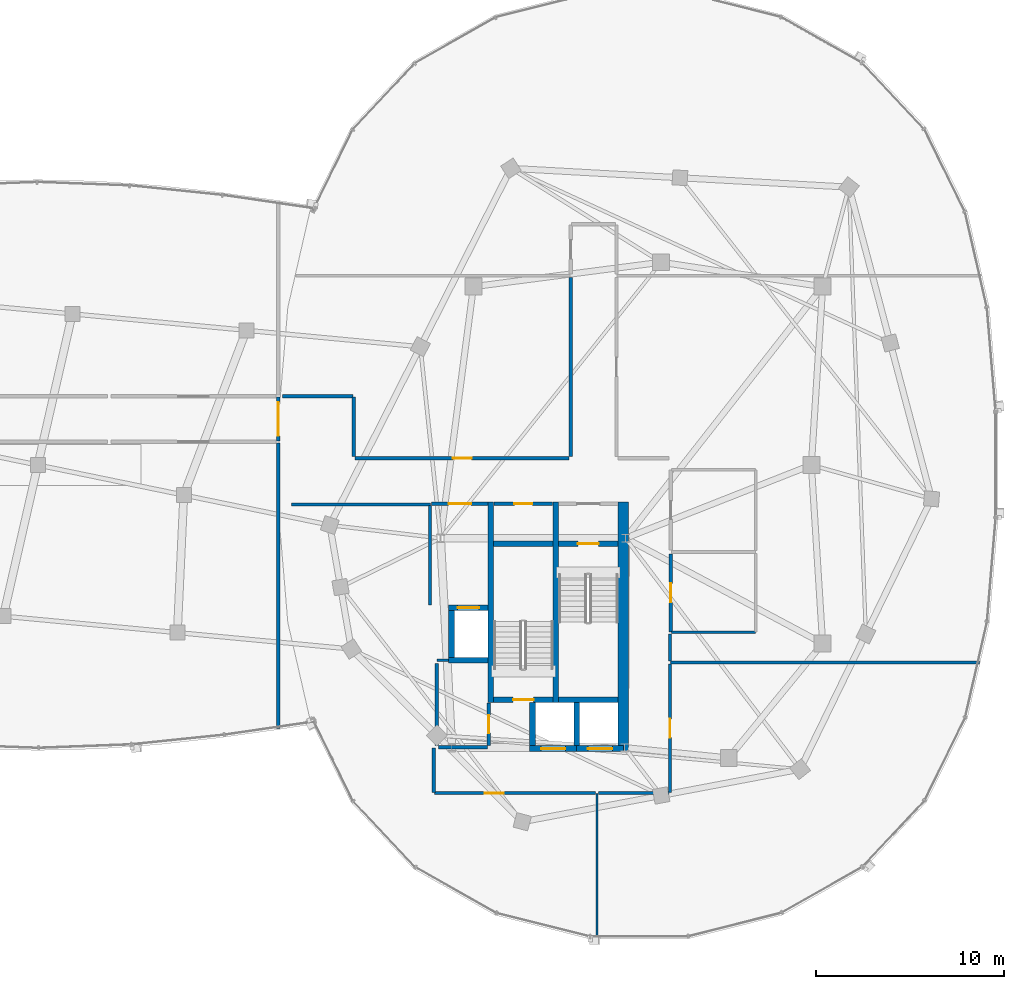
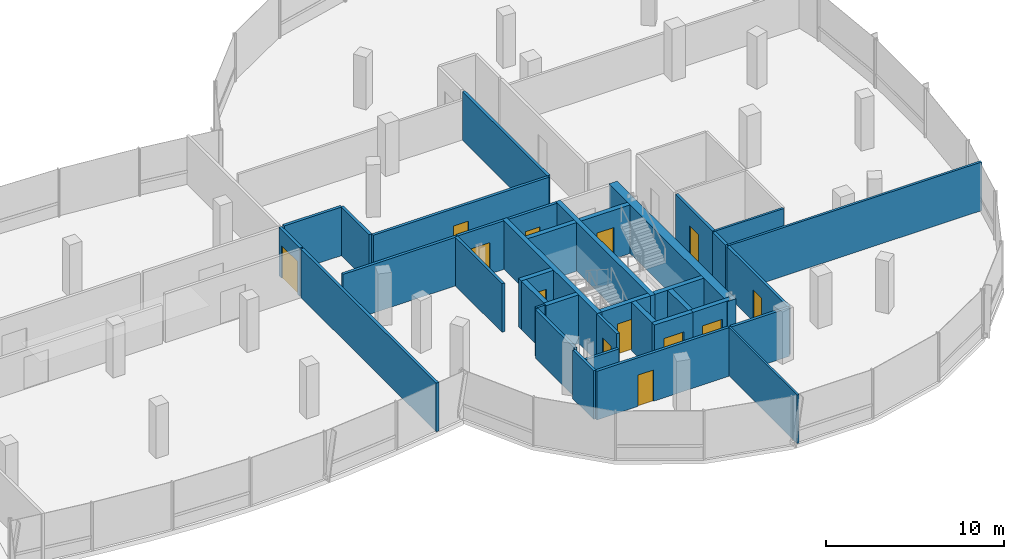
# One storey, part 16 of 25: 37 walls, 13 doors, 13 openings.
"""IFC4 building model written with IfcOpenShell, lengths in metres."""

from ifc_helpers import new_model, si_unit, direction, frame, frame_2d, origin, place, context, subcontext, project, spatial, rectangle, extrude, material, layer, layer_set, type_object, element, fill, save


model = new_model("IFC4")

# Units and contexts
model_context = context("Model", 3, precision=1e-05, world=origin(), true_north=direction((0.0, 1.0)))
body_context = subcontext(model_context, "Body", "Model", "MODEL_VIEW")
ifc_project = project(units=[si_unit("LENGTHUNIT", "METRE"), si_unit("AREAUNIT", "SQUARE_METRE"), si_unit("VOLUMEUNIT", "CUBIC_METRE"), si_unit("PLANEANGLEUNIT", "RADIAN"), si_unit("MASSUNIT", "GRAM", prefix="KILO"), si_unit("THERMODYNAMICTEMPERATUREUNIT", "KELVIN"), si_unit("POWERUNIT", "WATT")], contexts=[model_context])

# Site, building, storey
site_placement = place(None, origin())
site = spatial("IfcSite", under=ifc_project, at=site_placement, CompositionType="ELEMENT")
building_placement = place(site_placement, origin())
building = spatial("IfcBuilding", under=site, at=building_placement, Name="Cundina Bronze Exchange", CompositionType="ELEMENT")
storey_placement = place(building_placement, frame((0.0, 0.0, 254.0)))
storey = spatial("IfcBuildingStorey", under=building, at=storey_placement, Name="L67", CompositionType="ELEMENT", Elevation=254.0)

# Wall
ifc_material_1 = material(Name="Gypsum Fireboard Partition EI120")
ifc_layer_1 = layer(ifc_material_1, 0.179931640625, Name="Gypsum Fireboard Partition EI120")
ifc_layer_set_1 = layer_set([ifc_layer_1], Name="Gypsum Fireboard Partition EI120")
wall_type_1 = type_object("IfcWallType", Name="WL-COR-180", PredefinedType="PARTITIONING", material=ifc_layer_set_1)
wall_1_placement = place(storey_placement, frame((20.889892578125, -7.449951171875, 0.0), z_axis=(0.0, 0.0, 1.0), x_axis=(0.0, 1.0, 0.0)))
element("IfcWall", 1, at=wall_1_placement, inside=storey, type_object=wall_type_1, Name="L67 E Firefighting Lobby Side Wall", PredefinedType="PARTITIONING", context=body_context, shape_type="SweptSolid", body=[
    extrude(rectangle(XDim=5.300048828125, YDim=0.179931640625, at=frame_2d((2.64990234375, 0.0))), origin(), (0.0, 0.0, 1.0), 3.340087890625),
])

# Wall, opening, door
wall_2_placement = place(storey_placement, frame((20.97998046875, -2.06005859375, 0.0), z_axis=(0.0, 0.0, 1.0), x_axis=(1.0, 0.0, 0.0)))
wall_2 = element("IfcWall", 2, at=wall_2_placement, inside=storey, type_object=wall_type_1, Name="L67 E Firefighting Lobby Exit Wall", PredefinedType="PARTITIONING", context=body_context, shape_type="SweptSolid", body=[
    extrude(rectangle(XDim=3.0, YDim=0.179931640625, at=frame_2d((1.5, 0.0))), origin(), (0.0, 0.0, 1.0), 3.340087890625),
])
opening_1_placement = place(wall_2_placement, frame((0.89990234375, 0.0, 0.0)))
opening_1 = element("IfcOpeningElement", 3, at=opening_1_placement, cuts=wall_2, Name="Opening DF-01", PredefinedType="OPENING", context=body_context, shape_type="SweptSolid", body=[
    extrude(rectangle(XDim=1.199951171875, YDim=2.14990234375, at=frame_2d((0.60009765625, 1.074951171875))), frame((0.0, 0.099853515625, 0.0), z_axis=(0.0, -1.0, 0.0), x_axis=(1.0, 0.0, 0.0)), (0.0, 0.0, 1.0), 0.199951171875),
])
ifc_material_2 = material(Name="Steel ASTM A36 Painted", Category="steel")
door_type_1 = type_object("IfcDoorType", Name="DR-FFL-1200", OperationType="NOTDEFINED", PredefinedType="DOOR", material=ifc_material_2)
door_1_placement = place(opening_1_placement, origin())
door_1 = element("IfcDoor", 4, at=door_1_placement, inside=storey, type_object=door_type_1, Name="L67 E Firefighting Lobby Door", OperationType="SINGLE_SWING_LEFT", OverallHeight=2.14990234375, OverallWidth=1.199951171875, PredefinedType="DOOR", context=body_context, shape_type="SweptSolid", body=[
    extrude(rectangle(XDim=1.199951171875, YDim=2.14990234375, at=frame_2d((0.60009765625, 1.074951171875))), frame((0.0, 0.02490234375, 0.0), z_axis=(0.0, -1.0, 0.0), x_axis=(1.0, 0.0, 0.0)), (0.0, 0.0, 1.0), 0.050048828125),
])
fill(opening_1, door_1)

# Walls
wall_3_placement = place(storey_placement, frame((21.25, -14.929931640625, 0.0), z_axis=(0.0, 0.0, 1.0), x_axis=(0.0, 1.0, 0.0)))
element("IfcWall", 5, at=wall_3_placement, inside=storey, type_object=wall_type_1, Name="L67 Interior Partition 040", PredefinedType="PARTITIONING", context=body_context, shape_type="SweptSolid", body=[
    extrude(rectangle(XDim=4.35986328125, YDim=0.179931640625, at=frame_2d((2.179931640625, 0.0))), origin(), (0.0, 0.0, 1.0), 3.340087890625),
])
wall_4_placement = place(storey_placement, frame((21.35009765625, -15.030029296875, 0.0), z_axis=(0.0, 0.0, 1.0), x_axis=(1.0, 0.0, 0.0)))
element("IfcWall", 6, at=wall_4_placement, inside=storey, type_object=wall_type_1, Name="L67 Interior Partition 041", PredefinedType="PARTITIONING", context=body_context, shape_type="SweptSolid", body=[
    extrude(rectangle(XDim=2.60986328125, YDim=0.179931640625, at=frame_2d((1.304931640625, 0.0))), origin(), (0.0, 0.0, 1.0), 2.4130859375),
])

# Wall, opening, door
wall_5_placement = place(storey_placement, frame((24.300048828125, -2.070068359375, 0.0), z_axis=(0.0, 0.0, 1.0), x_axis=(1.0, 0.0, 0.0)))
wall_5 = element("IfcWall", 7, at=wall_5_placement, inside=storey, type_object=wall_type_1, Name="L67 Interior Partition 042", PredefinedType="PARTITIONING", context=body_context, shape_type="SweptSolid", body=[
    extrude(rectangle(XDim=3.119873046875, YDim=0.179931640625, at=frame_2d((1.56005859375, 0.0))), origin(), (0.0, 0.0, 1.0), 3.340087890625),
])
opening_2_placement = place(wall_5_placement, frame((1.0849609375, 0.0, 0.0)))
opening_2 = element("IfcOpeningElement", 8, at=opening_2_placement, cuts=wall_5, Name="Opening DW-01", PredefinedType="OPENING", context=body_context, shape_type="SweptSolid", body=[
    extrude(rectangle(XDim=0.949951171875, YDim=2.10009765625, at=frame_2d((0.47509765625, 1.050048828125))), frame((0.0, 0.099853515625, 0.0), z_axis=(0.0, -1.0, 0.0), x_axis=(1.0, 0.0, 0.0)), (0.0, 0.0, 1.0), 0.199951171875),
])
ifc_material_3 = material(Name="Solid Andean Oak Timber Grade A", Category="wood")
door_type_2 = type_object("IfcDoorType", Name="DR-WC-950", OperationType="NOTDEFINED", PredefinedType="DOOR", material=ifc_material_3)
door_2_placement = place(opening_2_placement, origin())
door_2 = element("IfcDoor", 9, at=door_2_placement, inside=storey, type_object=door_type_2, Name="L67 Interior Door 042", OperationType="SINGLE_SWING_RIGHT", OverallHeight=2.10009765625, OverallWidth=0.949951171875, PredefinedType="DOOR", context=body_context, shape_type="SweptSolid", body=[
    extrude(rectangle(XDim=0.949951171875, YDim=2.10009765625, at=frame_2d((0.47509765625, 1.050048828125))), frame((0.0, 0.02490234375, 0.0), z_axis=(0.0, -1.0, 0.0), x_axis=(1.0, 0.0, 0.0)), (0.0, 0.0, 1.0), 0.050048828125),
])
fill(opening_2, door_2)

wall_6_placement = place(storey_placement, frame((24.02001953125, -14.929931640625, 0.0), z_axis=(0.0, 0.0, 1.0), x_axis=(0.0, 1.0, 0.0)))
wall_6 = element("IfcWall", 10, at=wall_6_placement, inside=storey, type_object=wall_type_1, Name="L67 Interior Partition 043", PredefinedType="PARTITIONING", context=body_context, shape_type="SweptSolid", body=[
    extrude(rectangle(XDim=2.260009765625, YDim=0.179931640625, at=frame_2d((1.1298828125, 0.0))), origin(), (0.0, 0.0, 1.0), 3.340087890625),
])
opening_3_placement = place(wall_6_placement, frame((0.655029296875, 0.0, 0.0)))
opening_3 = element("IfcOpeningElement", 11, at=opening_3_placement, cuts=wall_6, Name="Opening DW-01", PredefinedType="OPENING", context=body_context, shape_type="SweptSolid", body=[
    extrude(rectangle(XDim=0.949951171875, YDim=2.10009765625, at=frame_2d((0.47509765625, 1.050048828125))), frame((0.0, 0.099853515625, 0.0), z_axis=(0.0, -1.0, 0.0), x_axis=(1.0, 0.0, 0.0)), (0.0, 0.0, 1.0), 0.199951171875),
])
door_3_placement = place(opening_3_placement, origin())
door_3 = element("IfcDoor", 12, at=door_3_placement, inside=storey, type_object=door_type_2, Name="L67 Interior Door 043", OperationType="SINGLE_SWING_RIGHT", OverallHeight=2.10009765625, OverallWidth=0.949951171875, PredefinedType="DOOR", context=body_context, shape_type="SweptSolid", body=[
    extrude(rectangle(XDim=0.949951171875, YDim=2.10009765625, at=frame_2d((0.47509765625, 1.050048828125))), frame((0.0, 0.02490234375, 0.0), z_axis=(0.0, -1.0, 0.0), x_axis=(1.0, 0.0, 0.0)), (0.0, 0.0, 1.0), 0.050048828125),
])
fill(opening_3, door_3)

wall_7_placement = place(storey_placement, frame((33.719970703125, -8.889892578125, 0.0), z_axis=(0.0, 0.0, 1.0), x_axis=(0.0, 1.0, 0.0)))
wall_7 = element("IfcWall", 13, at=wall_7_placement, inside=storey, type_object=wall_type_1, Name="L67 Interior Partition 050", PredefinedType="PARTITIONING", context=body_context, shape_type="SweptSolid", body=[
    extrude(rectangle(XDim=4.159912109375, YDim=0.179931640625, at=frame_2d((2.080078125, 0.0))), origin(), (0.0, 0.0, 1.0), 3.340087890625),
])
opening_4_placement = place(wall_7_placement, frame((1.580078125, 0.0, 0.0)))
opening_4 = element("IfcOpeningElement", 14, at=opening_4_placement, cuts=wall_7, Name="Opening DO-01", PredefinedType="OPENING", context=body_context, shape_type="SweptSolid", body=[
    extrude(rectangle(XDim=1.0, YDim=2.14990234375, at=frame_2d((0.5, 1.074951171875))), frame((0.0, 0.099853515625, 0.0), z_axis=(0.0, -1.0, 0.0), x_axis=(1.0, 0.0, 0.0)), (0.0, 0.0, 1.0), 0.199951171875),
])
door_type_3 = type_object("IfcDoorType", Name="DR-OFF-1000", OperationType="NOTDEFINED", PredefinedType="DOOR", material=ifc_material_3)
door_4_placement = place(opening_4_placement, origin())
door_4 = element("IfcDoor", 15, at=door_4_placement, inside=storey, type_object=door_type_3, Name="L67 Interior Door 050", OperationType="SINGLE_SWING_LEFT", OverallHeight=2.14990234375, OverallWidth=1.0, PredefinedType="DOOR", context=body_context, shape_type="SweptSolid", body=[
    extrude(rectangle(XDim=1.0, YDim=2.14990234375, at=frame_2d((0.5, 1.074951171875))), frame((0.0, 0.02490234375, 0.0), z_axis=(0.0, -1.0, 0.0), x_axis=(1.0, 0.0, 0.0)), (0.0, 0.0, 1.0), 0.050048828125),
])
fill(opening_4, door_4)

wall_8_placement = place(storey_placement, frame((33.669921875, -17.428466796875, 0.0), z_axis=(0.0, 0.0, 1.0), x_axis=(0.0, 1.0, 0.0)))
wall_8 = element("IfcWall", 16, at=wall_8_placement, inside=storey, type_object=wall_type_1, Name="L67 Interior Partition 055", PredefinedType="PARTITIONING", context=body_context, shape_type="SweptSolid", body=[
    extrude(rectangle(XDim=6.818359375, YDim=0.179931640625, at=frame_2d((3.4091796875, 0.0))), origin(), (0.0, 0.0, 1.0), 3.340087890625),
])
opening_5_placement = place(wall_8_placement, frame((2.9091796875, 0.0, 0.0)))
opening_5 = element("IfcOpeningElement", 17, at=opening_5_placement, cuts=wall_8, Name="Opening DO-01", PredefinedType="OPENING", context=body_context, shape_type="SweptSolid", body=[
    extrude(rectangle(XDim=1.0, YDim=2.14990234375, at=frame_2d((0.5, 1.074951171875))), frame((0.0, 0.099853515625, 0.0), z_axis=(0.0, -1.0, 0.0), x_axis=(1.0, 0.0, 0.0)), (0.0, 0.0, 1.0), 0.199951171875),
])
door_5_placement = place(opening_5_placement, origin())
door_5 = element("IfcDoor", 18, at=door_5_placement, inside=storey, type_object=door_type_3, Name="L67 Interior Door 055", OperationType="SINGLE_SWING_LEFT", OverallHeight=2.14990234375, OverallWidth=1.0, PredefinedType="DOOR", context=body_context, shape_type="SweptSolid", body=[
    extrude(rectangle(XDim=1.0, YDim=2.14990234375, at=frame_2d((0.5, 1.074951171875))), frame((0.0, 0.02490234375, 0.0), z_axis=(0.0, -1.0, 0.0), x_axis=(1.0, 0.0, 0.0)), (0.0, 0.0, 1.0), 0.050048828125),
])
fill(opening_5, door_5)

# Wall
wall_9_placement = place(storey_placement, frame((29.8701171875, -17.469970703125, 0.0), z_axis=(0.0, 0.0, 1.0), x_axis=(1.0, 0.0, 0.0)))
element("IfcWall", 19, at=wall_9_placement, inside=storey, type_object=wall_type_1, Name="L67 Interior Partition 056", PredefinedType="PARTITIONING", context=body_context, shape_type="SweptSolid", body=[
    extrude(rectangle(XDim=3.75830078125, YDim=0.179931640625, at=frame_2d((1.879150390625, 0.0))), origin(), (0.0, 0.0, 1.0), 3.340087890625),
])

# Wall, opening, door
wall_10_placement = place(storey_placement, frame((21.12158203125, -17.469970703125, 0.0), z_axis=(0.0, 0.0, 1.0), x_axis=(1.0, 0.0, 0.0)))
wall_10 = element("IfcWall", 20, at=wall_10_placement, inside=storey, type_object=wall_type_1, Name="L67 Interior Partition 057", PredefinedType="PARTITIONING", context=body_context, shape_type="SweptSolid", body=[
    extrude(rectangle(XDim=8.568359375, YDim=0.179931640625, at=frame_2d((4.2841796875, 0.0))), origin(), (0.0, 0.0, 1.0), 3.340087890625),
])
opening_6_placement = place(wall_10_placement, frame((2.68505859375, 0.0, 0.0)))
opening_6 = element("IfcOpeningElement", 21, at=opening_6_placement, cuts=wall_10, Name="Opening DO-01", PredefinedType="OPENING", context=body_context, shape_type="SweptSolid", body=[
    extrude(rectangle(XDim=1.0, YDim=2.14990234375, at=frame_2d((0.5, 1.074951171875))), frame((0.0, 0.099853515625, 0.0), z_axis=(0.0, -1.0, 0.0), x_axis=(1.0, 0.0, 0.0)), (0.0, 0.0, 1.0), 0.199951171875),
])
door_6_placement = place(opening_6_placement, origin())
door_6 = element("IfcDoor", 22, at=door_6_placement, inside=storey, type_object=door_type_3, Name="L67 Interior Door 057", OperationType="SINGLE_SWING_RIGHT", OverallHeight=2.14990234375, OverallWidth=1.0, PredefinedType="DOOR", context=body_context, shape_type="SweptSolid", body=[
    extrude(rectangle(XDim=1.0, YDim=2.14990234375, at=frame_2d((0.5, 1.074951171875))), frame((0.0, 0.02490234375, 0.0), z_axis=(0.0, -1.0, 0.0), x_axis=(1.0, 0.0, 0.0)), (0.0, 0.0, 1.0), 0.050048828125),
])
fill(opening_6, door_6)

# Walls
wall_11_placement = place(storey_placement, frame((13.521484375, -2.10009765625, 0.0), z_axis=(0.0, 0.0, 1.0), x_axis=(1.0, 0.0, 0.0)))
element("IfcWall", 23, at=wall_11_placement, inside=storey, type_object=wall_type_1, Name="L67 Interior Partition 058", PredefinedType="PARTITIONING", context=body_context, shape_type="SweptSolid", body=[
    extrude(rectangle(XDim=7.3984375, YDim=0.179931640625, at=frame_2d((3.69921875, 0.0))), origin(), (0.0, 0.0, 1.0), 3.340087890625),
])
wall_12_placement = place(storey_placement, frame((21.080078125, -15.071533203125, 0.0), z_axis=(0.0, 0.0, 1.0), x_axis=(0.0, -1.0, 0.0)))
element("IfcWall", 24, at=wall_12_placement, inside=storey, type_object=wall_type_1, Name="L67 Interior Partition 059", PredefinedType="PARTITIONING", context=body_context, shape_type="SweptSolid", body=[
    extrude(rectangle(XDim=2.35693359375, YDim=0.179931640625, at=frame_2d((1.178466796875, 0.0))), origin(), (0.0, 0.0, 1.0), 3.340087890625),
])
wall_13_placement = place(storey_placement, frame((33.669921875, -10.429931640625, 0.0), z_axis=(0.0, 0.0, 1.0), x_axis=(0.0, 1.0, 0.0)))
element("IfcWall", 25, at=wall_13_placement, inside=storey, type_object=wall_type_1, Name="L67 Interior Partition 062", PredefinedType="PARTITIONING", context=body_context, shape_type="SweptSolid", body=[
    extrude(rectangle(XDim=1.428466796875, YDim=0.179931640625, at=frame_2d((0.71435546875, 0.0))), origin(), (0.0, 0.0, 1.0), 3.340087890625),
])

# Wall, opening, door
wall_14_placement = place(storey_placement, frame((28.300048828125, 0.3701171875, 0.0), z_axis=(0.0, 0.0, 1.0), x_axis=(-1.0, 0.0, 0.0)))
wall_14 = element("IfcWall", 26, at=wall_14_placement, inside=storey, type_object=wall_type_1, Name="L67 Interior Partition 063", PredefinedType="PARTITIONING", context=body_context, shape_type="SweptSolid", body=[
    extrude(rectangle(XDim=11.400146484375, YDim=0.179931640625, at=frame_2d((5.7001953125, 0.0))), origin(), (0.0, 0.0, 1.0), 3.340087890625),
])
opening_7_placement = place(wall_14_placement, frame((5.199951171875, 0.0, 0.0)))
opening_7 = element("IfcOpeningElement", 27, at=opening_7_placement, cuts=wall_14, Name="Opening DO-01", PredefinedType="OPENING", context=body_context, shape_type="SweptSolid", body=[
    extrude(rectangle(XDim=1.0, YDim=2.14990234375, at=frame_2d((0.5, 1.074951171875))), frame((0.0, 0.099853515625, 0.0), z_axis=(0.0, -1.0, 0.0), x_axis=(1.0, 0.0, 0.0)), (0.0, 0.0, 1.0), 0.199951171875),
])
door_7_placement = place(opening_7_placement, origin())
door_7 = element("IfcDoor", 28, at=door_7_placement, inside=storey, type_object=door_type_3, Name="L67 Interior Door 063", OperationType="SINGLE_SWING_LEFT", OverallHeight=2.14990234375, OverallWidth=1.0, PredefinedType="DOOR", context=body_context, shape_type="SweptSolid", body=[
    extrude(rectangle(XDim=1.0, YDim=2.14990234375, at=frame_2d((0.5, 1.074951171875))), frame((0.0, 0.02490234375, 0.0), z_axis=(0.0, -1.0, 0.0), x_axis=(1.0, 0.0, 0.0)), (0.0, 0.0, 1.0), 0.050048828125),
])
fill(opening_7, door_7)

# Walls
wall_15_placement = place(storey_placement, frame((28.3798828125, 9.989990234375, 0.0), z_axis=(0.0, 0.0, 1.0), x_axis=(0.0, -1.0, 0.0)))
element("IfcWall", 29, at=wall_15_placement, inside=storey, type_object=wall_type_1, Name="L67 Interior Partition 064", PredefinedType="PARTITIONING", context=body_context, shape_type="SweptSolid", body=[
    extrude(rectangle(XDim=9.5400390625, YDim=0.179931640625, at=frame_2d((4.77001953125, 0.0))), origin(), (0.0, 0.0, 1.0), 3.340087890625),
])
wall_16_placement = place(storey_placement, frame((16.778564453125, 3.669921875, 0.0), z_axis=(0.0, 0.0, 1.0), x_axis=(-1.0, 0.0, 0.0)))
element("IfcWall", 30, at=wall_16_placement, inside=storey, type_object=wall_type_1, Name="L67 Interior Partition 065", PredefinedType="PARTITIONING", context=body_context, shape_type="SweptSolid", body=[
    extrude(rectangle(XDim=3.7529296875, YDim=0.179931640625, at=frame_2d((1.87646484375, 0.0))), origin(), (0.0, 0.0, 1.0), 3.340087890625),
])
wall_17_placement = place(storey_placement, frame((16.820068359375, 0.449951171875, 0.0), z_axis=(0.0, 0.0, 1.0), x_axis=(0.0, 1.0, 0.0)))
element("IfcWall", 31, at=wall_17_placement, inside=storey, type_object=wall_type_1, Name="L67 Interior Partition 066", PredefinedType="PARTITIONING", context=body_context, shape_type="SweptSolid", body=[
    extrude(rectangle(XDim=3.178466796875, YDim=0.179931640625, at=frame_2d((1.58935546875, 0.0))), origin(), (0.0, 0.0, 1.0), 3.340087890625),
])
wall_18_placement = place(storey_placement, frame((12.800048828125, -14.043701171875, 0.0), z_axis=(0.0, 0.0, 1.0), x_axis=(0.0, 1.0, 0.0)))
element("IfcWall", 32, at=wall_18_placement, inside=storey, type_object=wall_type_1, Name="L67 Interior Partition 078", PredefinedType="PARTITIONING", context=body_context, shape_type="SweptSolid", body=[
    extrude(rectangle(XDim=15.20361328125, YDim=0.179931640625, at=frame_2d((7.601806640625, 0.0))), origin(), (0.0, 0.0, 1.0), 3.340087890625),
])

# Wall, opening, door
wall_19_placement = place(storey_placement, frame((12.800048828125, 1.280029296875, 0.0), z_axis=(0.0, 0.0, 1.0), x_axis=(0.0, 1.0, 0.0)))
wall_19 = element("IfcWall", 33, at=wall_19_placement, inside=storey, type_object=wall_type_1, Name="L67 Interior Partition 080", PredefinedType="PARTITIONING", context=body_context, shape_type="SweptSolid", body=[
    extrude(rectangle(XDim=2.340087890625, YDim=0.179931640625, at=frame_2d((1.169921875, 0.0))), origin(), (0.0, 0.0, 1.0), 3.340087890625),
])
opening_8_placement = place(wall_19_placement, frame((0.27001953125, 0.0, 0.0)))
opening_8 = element("IfcOpeningElement", 34, at=opening_8_placement, cuts=wall_19, Name="Opening DB-01", PredefinedType="OPENING", context=body_context, shape_type="SweptSolid", body=[
    extrude(rectangle(XDim=1.800048828125, YDim=2.25, at=frame_2d((0.89990234375, 1.125))), frame((0.0, 0.099853515625, 0.0), z_axis=(0.0, -1.0, 0.0), x_axis=(1.0, 0.0, 0.0)), (0.0, 0.0, 1.0), 0.199951171875),
])
door_type_4 = type_object("IfcDoorType", Name="DR-BRG-1800", OperationType="NOTDEFINED", PredefinedType="DOOR", material=ifc_material_2)
door_8_placement = place(opening_8_placement, origin())
door_8 = element("IfcDoor", 35, at=door_8_placement, inside=storey, type_object=door_type_4, Name="L67 Interior Door 080", OperationType="DOUBLE_DOOR_SINGLE_SWING", OverallHeight=2.25, OverallWidth=1.800048828125, PredefinedType="DOOR", context=body_context, shape_type="SweptSolid", body=[
    extrude(rectangle(XDim=1.800048828125, YDim=2.25, at=frame_2d((0.89990234375, 1.125))), frame((0.0, 0.02490234375, 0.0), z_axis=(0.0, -1.0, 0.0), x_axis=(1.0, 0.0, 0.0)), (0.0, 0.0, 1.0), 0.050048828125),
])
fill(opening_8, door_8)

# Walls
ifc_material_4 = material(Name="Concrete C50/60", Category="concrete")
ifc_layer_2 = layer(ifc_material_4, 0.550048828125, Name="Concrete C50/60", Category="concrete")
ifc_layer_set_2 = layer_set([ifc_layer_2], Name="Concrete C50/60")
wall_type_2 = type_object("IfcWallType", Name="WL-CORE-550", PredefinedType="SHEAR", material=ifc_layer_set_2)
wall_20_placement = place(storey_placement, frame((31.175048828125, -15.300048828125, 0.0), z_axis=(0.0, 0.0, 1.0), x_axis=(0.0, 1.0, 0.0)))
element("IfcWall", 36, at=wall_20_placement, inside=storey, type_object=wall_type_2, Name="L67 E Primary Core Shear Spine Wall", PredefinedType="SHEAR", context=body_context, shape_type="SweptSolid", body=[
    extrude(rectangle(XDim=13.330078125, YDim=0.550048828125, at=frame_2d((6.6650390625, 0.0))), origin(), (0.0, 0.0, 1.0), 3.340087890625),
])
ifc_material_5 = material(Name="Gypsum Acoustic Partition EI60")
ifc_layer_3 = layer(ifc_material_5, 0.125, Name="Gypsum Acoustic Partition EI60")
ifc_layer_set_3 = layer_set([ifc_layer_3], Name="Gypsum Acoustic Partition EI60")
wall_type_3 = type_object("IfcWallType", Name="WL-OFF-125", PredefinedType="PARTITIONING", material=ifc_layer_set_3)
wall_21_placement = place(storey_placement, frame((29.780029296875, -25.18994140625, 0.0), z_axis=(0.0, 0.0, 1.0), x_axis=(0.0, 1.0, 0.0)))
element("IfcWall", 37, at=wall_21_placement, inside=storey, type_object=wall_type_3, Name="L67 Interior Partition 054", PredefinedType="PARTITIONING", context=body_context, shape_type="SweptSolid", body=[
    extrude(rectangle(XDim=7.68994140625, YDim=0.125, at=frame_2d((3.844970703125, 0.0))), origin(), (0.0, 0.0, 1.0), 3.340087890625),
])
ifc_layer_4 = layer(ifc_material_4, 0.300048828125, Name="Concrete C50/60", Category="concrete")
ifc_layer_set_4 = layer_set([ifc_layer_4], Name="Concrete C50/60")
wall_type_4 = type_object("IfcWallType", Name="WL-SHFT-300", PredefinedType="SHEAR", material=ifc_layer_set_4)
for number, where, z_axis, x_axis, name in (
    (38, (27.590087890625, -12.64990234375, 0.0), (0.0, 0.0, 1.0), (0.0, 1.0, 0.0), "L67 E Stair Shaft Dividing Shear Wall"),
    (39, (24.1298828125, -12.64990234375, 0.0), (0.0, 0.0, 1.0), (0.0, 1.0, 0.0), "L67 E Stair 2 East Shear Wall"),
):
    element("IfcWall", number, at=place(storey_placement, frame(where, z_axis=z_axis, x_axis=x_axis)), inside=storey, type_object=wall_type_4, Name=name, PredefinedType="SHEAR", context=body_context, shape_type="SweptSolid", body=[
        extrude(rectangle(XDim=10.679931640625, YDim=0.300048828125, at=frame_2d((5.33984375, 0.0))), origin(), (0.0, 0.0, 1.0), 3.340087890625),
    ])

# Wall, opening, door
wall_22_placement = place(storey_placement, frame((27.739990234375, -4.199951171875, 0.0), z_axis=(0.0, 0.0, 1.0), x_axis=(1.0, 0.0, 0.0)))
wall_22 = element("IfcWall", 40, at=wall_22_placement, inside=storey, type_object=wall_type_4, Name="L67 Stair E1 Landing Wall", PredefinedType="SHEAR", context=body_context, shape_type="SweptSolid", body=[
    extrude(rectangle(XDim=3.159912109375, YDim=0.300048828125, at=frame_2d((1.580078125, 0.0))), origin(), (0.0, 0.0, 1.0), 3.340087890625),
])
opening_9_placement = place(wall_22_placement, frame((1.030029296875, 0.0, 0.0)))
opening_9 = element("IfcOpeningElement", 41, at=opening_9_placement, cuts=wall_22, Name="Opening DS-01", PredefinedType="OPENING", context=body_context, shape_type="SweptSolid", body=[
    extrude(rectangle(XDim=1.10009765625, YDim=2.14990234375, at=frame_2d((0.550048828125, 1.074951171875))), frame((0.0, 0.159912109375, 0.0), z_axis=(0.0, -1.0, 0.0), x_axis=(1.0, 0.0, 0.0)), (0.0, 0.0, 1.0), 0.320068359375),
])
door_type_5 = type_object("IfcDoorType", Name="DR-STR-1100", OperationType="NOTDEFINED", PredefinedType="DOOR", material=ifc_material_2)
door_9_placement = place(opening_9_placement, origin())
door_9 = element("IfcDoor", 42, at=door_9_placement, inside=storey, type_object=door_type_5, Name="L67 Smokeproof Stair E1 Door", OperationType="SINGLE_SWING_LEFT", OverallHeight=2.14990234375, OverallWidth=1.10009765625, PredefinedType="DOOR", context=body_context, shape_type="SweptSolid", body=[
    extrude(rectangle(XDim=1.10009765625, YDim=2.14990234375, at=frame_2d((0.550048828125, 1.074951171875))), frame((0.0, 0.02490234375, 0.0), z_axis=(0.0, -1.0, 0.0), x_axis=(1.0, 0.0, 0.0)), (0.0, 0.0, 1.0), 0.050048828125),
])
fill(opening_9, door_9)

# Wall
wall_23_placement = place(storey_placement, frame((27.739990234375, -12.5, 0.0), z_axis=(0.0, 0.0, 1.0), x_axis=(1.0, 0.0, 0.0)))
element("IfcWall", 43, at=wall_23_placement, inside=storey, type_object=wall_type_4, Name="L67 Stair E1 Far Shaft Wall", PredefinedType="SHEAR", context=body_context, shape_type="SweptSolid", body=[
    extrude(rectangle(XDim=3.159912109375, YDim=0.300048828125, at=frame_2d((1.580078125, 0.0))), origin(), (0.0, 0.0, 1.0), 3.340087890625),
])

# Wall, opening, door
wall_24_placement = place(storey_placement, frame((24.280029296875, -12.5, 0.0), z_axis=(0.0, 0.0, 1.0), x_axis=(1.0, 0.0, 0.0)))
wall_24 = element("IfcWall", 44, at=wall_24_placement, inside=storey, type_object=wall_type_4, Name="L67 Stair E2 Landing Wall", PredefinedType="SHEAR", context=body_context, shape_type="SweptSolid", body=[
    extrude(rectangle(XDim=3.159912109375, YDim=0.300048828125, at=frame_2d((1.580078125, 0.0))), origin(), (0.0, 0.0, 1.0), 3.340087890625),
])
opening_10_placement = place(wall_24_placement, frame((1.030029296875, 0.0, 0.0)))
opening_10 = element("IfcOpeningElement", 45, at=opening_10_placement, cuts=wall_24, Name="Opening DS-01", PredefinedType="OPENING", context=body_context, shape_type="SweptSolid", body=[
    extrude(rectangle(XDim=1.10009765625, YDim=2.14990234375, at=frame_2d((0.550048828125, 1.074951171875))), frame((0.0, 0.159912109375, 0.0), z_axis=(0.0, -1.0, 0.0), x_axis=(1.0, 0.0, 0.0)), (0.0, 0.0, 1.0), 0.320068359375),
])
door_10_placement = place(opening_10_placement, origin())
door_10 = element("IfcDoor", 46, at=door_10_placement, inside=storey, type_object=door_type_5, Name="L67 Smokeproof Stair E2 Door", OperationType="SINGLE_SWING_RIGHT", OverallHeight=2.14990234375, OverallWidth=1.10009765625, PredefinedType="DOOR", context=body_context, shape_type="SweptSolid", body=[
    extrude(rectangle(XDim=1.10009765625, YDim=2.14990234375, at=frame_2d((0.550048828125, 1.074951171875))), frame((0.0, 0.02490234375, 0.0), z_axis=(0.0, -1.0, 0.0), x_axis=(1.0, 0.0, 0.0)), (0.0, 0.0, 1.0), 0.050048828125),
])
fill(opening_10, door_10)

# Wall
wall_25_placement = place(storey_placement, frame((24.280029296875, -4.199951171875, 0.0), z_axis=(0.0, 0.0, 1.0), x_axis=(1.0, 0.0, 0.0)))
element("IfcWall", 47, at=wall_25_placement, inside=storey, type_object=wall_type_4, Name="L67 Stair E2 Far Shaft Wall", PredefinedType="SHEAR", context=body_context, shape_type="SweptSolid", body=[
    extrude(rectangle(XDim=3.159912109375, YDim=0.300048828125, at=frame_2d((1.580078125, 0.0))), origin(), (0.0, 0.0, 1.0), 3.340087890625),
])

# Wall, opening, door
wall_26_placement = place(storey_placement, frame((21.8798828125, -7.60009765625, 0.0), z_axis=(0.0, 0.0, 1.0), x_axis=(1.0, 0.0, 0.0)))
wall_26 = element("IfcWall", 48, at=wall_26_placement, inside=storey, type_object=wall_type_4, Name="L67 FFL-E Hoistway Front Wall", PredefinedType="SHEAR", context=body_context, shape_type="SweptSolid", body=[
    extrude(rectangle(XDim=2.10009765625, YDim=0.300048828125, at=frame_2d((1.050048828125, 0.0))), origin(), (0.0, 0.0, 1.0), 3.340087890625),
])
opening_11_placement = place(wall_26_placement, frame((0.47509765625, 0.0, 0.0)))
opening_11 = element("IfcOpeningElement", 49, at=opening_11_placement, cuts=wall_26, Name="Opening LD-01", PredefinedType="OPENING", context=body_context, shape_type="SweptSolid", body=[
    extrude(rectangle(XDim=1.14990234375, YDim=2.199951171875, at=frame_2d((0.574951171875, 1.10009765625))), frame((0.0, 0.159912109375, 0.0), z_axis=(0.0, -1.0, 0.0), x_axis=(1.0, 0.0, 0.0)), (0.0, 0.0, 1.0), 0.320068359375),
])
door_type_6 = type_object("IfcDoorType", Name="DR-LND-1150", OperationType="NOTDEFINED", PredefinedType="TRAPDOOR", material=ifc_material_2)
door_11_placement = place(opening_11_placement, origin())
door_11 = element("IfcDoor", 50, at=door_11_placement, inside=storey, type_object=door_type_6, Name="L67 FFL-E Sliding Landing Door", OperationType="SLIDING_TO_LEFT", OverallHeight=2.199951171875, OverallWidth=1.14990234375, PredefinedType="TRAPDOOR", context=body_context, shape_type="SweptSolid", body=[
    extrude(rectangle(XDim=1.14990234375, YDim=2.199951171875, at=frame_2d((0.574951171875, 1.10009765625))), frame((0.0, 0.02490234375, 0.0), z_axis=(0.0, -1.0, 0.0), x_axis=(1.0, 0.0, 0.0)), (0.0, 0.0, 1.0), 0.050048828125),
])
fill(opening_11, door_11)

# Walls
wall_27_placement = place(storey_placement, frame((21.8798828125, -10.39990234375, 0.0), z_axis=(0.0, 0.0, 1.0), x_axis=(1.0, 0.0, 0.0)))
element("IfcWall", 51, at=wall_27_placement, inside=storey, type_object=wall_type_4, Name="L67 FFL-E Hoistway Back Wall", PredefinedType="SHEAR", context=body_context, shape_type="SweptSolid", body=[
    extrude(rectangle(XDim=2.10009765625, YDim=0.300048828125, at=frame_2d((1.050048828125, 0.0))), origin(), (0.0, 0.0, 1.0), 3.340087890625),
])
wall_28_placement = place(storey_placement, frame((22.030029296875, -10.25, 0.0), z_axis=(0.0, 0.0, 1.0), x_axis=(0.0, 1.0, 0.0)))
element("IfcWall", 52, at=wall_28_placement, inside=storey, type_object=wall_type_4, Name="L67 FFL-E Hoistway Side Wall", PredefinedType="SHEAR", context=body_context, shape_type="SweptSolid", body=[
    extrude(rectangle(XDim=2.5, YDim=0.300048828125, at=frame_2d((1.25, 0.0))), origin(), (0.0, 0.0, 1.0), 3.340087890625),
])

# Wall, opening, door
wall_29_placement = place(storey_placement, frame((28.699951171875, -15.10009765625, 0.0), z_axis=(0.0, 0.0, 1.0), x_axis=(1.0, 0.0, 0.0)))
wall_29 = element("IfcWall", 53, at=wall_29_placement, inside=storey, type_object=wall_type_4, Name="L67 PH-E1 Hoistway Front Wall", PredefinedType="SHEAR", context=body_context, shape_type="SweptSolid", body=[
    extrude(rectangle(XDim=2.5, YDim=0.300048828125, at=frame_2d((1.25, 0.0))), origin(), (0.0, 0.0, 1.0), 3.340087890625),
])
opening_12_placement = place(wall_29_placement, frame((0.60009765625, 0.0, 0.0)))
opening_12 = element("IfcOpeningElement", 54, at=opening_12_placement, cuts=wall_29, Name="Opening LD-02", PredefinedType="OPENING", context=body_context, shape_type="SweptSolid", body=[
    extrude(rectangle(XDim=1.300048828125, YDim=2.199951171875, at=frame_2d((0.64990234375, 1.10009765625))), frame((0.0, 0.159912109375, 0.0), z_axis=(0.0, -1.0, 0.0), x_axis=(1.0, 0.0, 0.0)), (0.0, 0.0, 1.0), 0.320068359375),
])
door_type_7 = type_object("IfcDoorType", Name="DR-LND-1300", OperationType="NOTDEFINED", PredefinedType="TRAPDOOR", material=ifc_material_2)
door_12_placement = place(opening_12_placement, origin())
door_12 = element("IfcDoor", 55, at=door_12_placement, inside=storey, type_object=door_type_7, Name="L67 PH-E1 Sliding Landing Door", OperationType="SLIDING_TO_LEFT", OverallHeight=2.199951171875, OverallWidth=1.300048828125, PredefinedType="TRAPDOOR", context=body_context, shape_type="SweptSolid", body=[
    extrude(rectangle(XDim=1.300048828125, YDim=2.199951171875, at=frame_2d((0.64990234375, 1.10009765625))), frame((0.0, 0.02490234375, 0.0), z_axis=(0.0, -1.0, 0.0), x_axis=(1.0, 0.0, 0.0)), (0.0, 0.0, 1.0), 0.050048828125),
])
fill(opening_12, door_12)

# Wall
wall_30_placement = place(storey_placement, frame((28.699951171875, -14.949951171875, 0.0), z_axis=(0.0, 0.0, 1.0), x_axis=(0.0, 1.0, 0.0)))
element("IfcWall", 56, at=wall_30_placement, inside=storey, type_object=wall_type_4, Name="L67 PH-E1 Hoistway Divider Wall", PredefinedType="SHEAR", context=body_context, shape_type="SweptSolid", body=[
    extrude(rectangle(XDim=2.300048828125, YDim=0.300048828125, at=frame_2d((1.14990234375, 0.0))), origin(), (0.0, 0.0, 1.0), 3.340087890625),
])

# Wall, opening, door
wall_31_placement = place(storey_placement, frame((26.199951171875, -15.10009765625, 0.0), z_axis=(0.0, 0.0, 1.0), x_axis=(1.0, 0.0, 0.0)))
wall_31 = element("IfcWall", 57, at=wall_31_placement, inside=storey, type_object=wall_type_4, Name="L67 PH-E2 Hoistway Front Wall", PredefinedType="SHEAR", context=body_context, shape_type="SweptSolid", body=[
    extrude(rectangle(XDim=2.5, YDim=0.300048828125, at=frame_2d((1.25, 0.0))), origin(), (0.0, 0.0, 1.0), 3.340087890625),
])
opening_13_placement = place(wall_31_placement, frame((0.60009765625, 0.0, 0.0)))
opening_13 = element("IfcOpeningElement", 58, at=opening_13_placement, cuts=wall_31, Name="Opening LD-02", PredefinedType="OPENING", context=body_context, shape_type="SweptSolid", body=[
    extrude(rectangle(XDim=1.300048828125, YDim=2.199951171875, at=frame_2d((0.64990234375, 1.10009765625))), frame((0.0, 0.159912109375, 0.0), z_axis=(0.0, -1.0, 0.0), x_axis=(1.0, 0.0, 0.0)), (0.0, 0.0, 1.0), 0.320068359375),
])
door_13_placement = place(opening_13_placement, origin())
door_13 = element("IfcDoor", 59, at=door_13_placement, inside=storey, type_object=door_type_7, Name="L67 PH-E2 Sliding Landing Door", OperationType="SLIDING_TO_LEFT", OverallHeight=2.199951171875, OverallWidth=1.300048828125, PredefinedType="TRAPDOOR", context=body_context, shape_type="SweptSolid", body=[
    extrude(rectangle(XDim=1.300048828125, YDim=2.199951171875, at=frame_2d((0.64990234375, 1.10009765625))), frame((0.0, 0.02490234375, 0.0), z_axis=(0.0, -1.0, 0.0), x_axis=(1.0, 0.0, 0.0)), (0.0, 0.0, 1.0), 0.050048828125),
])
fill(opening_13, door_13)

# Walls
wall_32_placement = place(storey_placement, frame((26.35009765625, -14.949951171875, 0.0), z_axis=(0.0, 0.0, 1.0), x_axis=(0.0, 1.0, 0.0)))
element("IfcWall", 60, at=wall_32_placement, inside=storey, type_object=wall_type_4, Name="L67 PH-E2 Hoistway Divider Wall", PredefinedType="SHEAR", context=body_context, shape_type="SweptSolid", body=[
    extrude(rectangle(XDim=2.300048828125, YDim=0.300048828125, at=frame_2d((1.14990234375, 0.0))), origin(), (0.0, 0.0, 1.0), 3.340087890625),
])
ifc_layer_5 = layer(ifc_material_5, 0.14990234375, Name="Gypsum Acoustic Partition EI60")
ifc_layer_set_5 = layer_set([ifc_layer_5], Name="Gypsum Acoustic Partition EI60")
wall_type_5 = type_object("IfcWallType", Name="WL-TEN-150", PredefinedType="PARTITIONING", material=ifc_layer_set_5)
wall_33_placement = place(storey_placement, frame((33.699951171875, -10.52001953125, 0.0), z_axis=(0.0, 0.0, 1.0), x_axis=(1.0, 0.0, 0.0)))
element("IfcWall", 61, at=wall_33_placement, inside=storey, type_object=wall_type_5, Name="L67 Interior Partition 053", PredefinedType="PARTITIONING", context=body_context, shape_type="SweptSolid", body=[
    extrude(rectangle(XDim=16.444091796875, YDim=0.14990234375, at=frame_2d((8.22216796875, 0.0))), origin(), (0.0, 0.0, 1.0), 3.340087890625),
])
ifc_material_6 = material(Name="Moisture-Resistant Masonry Block Grade M15", Category="masonry")
ifc_layer_6 = layer(ifc_material_6, 0.139892578125, Name="Moisture-Resistant Masonry Block Grade M15", Category="masonry")
ifc_layer_set_6 = layer_set([ifc_layer_6], Name="Moisture-Resistant Masonry Block Grade M15")
wall_type_6 = type_object("IfcWallType", Name="WL-WET-140", PredefinedType="PARTITIONING", material=ifc_layer_set_6)
wall_34_placement = place(storey_placement, frame((21.27001953125, -10.39990234375, 0.0), z_axis=(0.0, 0.0, 1.0), x_axis=(1.0, 0.0, 0.0)))
element("IfcWall", 62, at=wall_34_placement, inside=storey, type_object=wall_type_6, Name="L67 Interior Partition 039", PredefinedType="PARTITIONING", context=body_context, shape_type="SweptSolid", body=[
    extrude(rectangle(XDim=0.590087890625, YDim=0.139892578125, at=frame_2d((0.294921875, 0.0))), origin(), (0.0, 0.0, 1.0), 3.340087890625),
])
wall_35_placement = place(storey_placement, frame((33.739990234375, -8.909912109375, 0.0), z_axis=(0.0, 0.0, 1.0), x_axis=(1.0, 0.0, 0.0)))
element("IfcWall", 63, at=wall_35_placement, inside=storey, type_object=wall_type_6, Name="L67 Interior Partition 048", PredefinedType="PARTITIONING", context=body_context, shape_type="SweptSolid", body=[
    extrude(rectangle(XDim=4.47998046875, YDim=0.139892578125, at=frame_2d((2.239990234375, 0.0))), origin(), (0.0, 0.0, 1.0), 3.340087890625),
])

save(model, "model.ifc")
